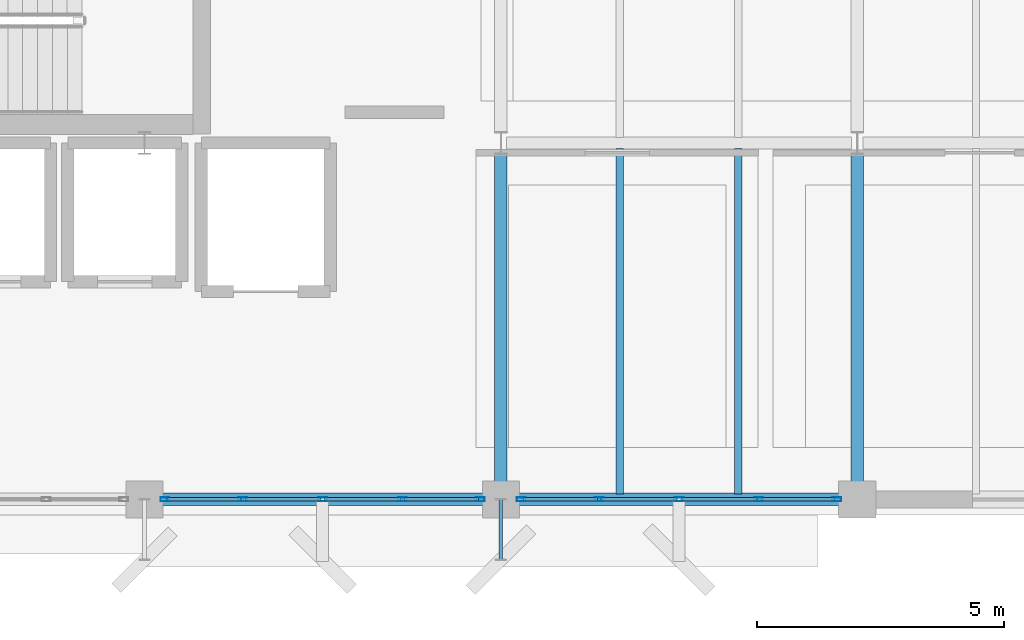
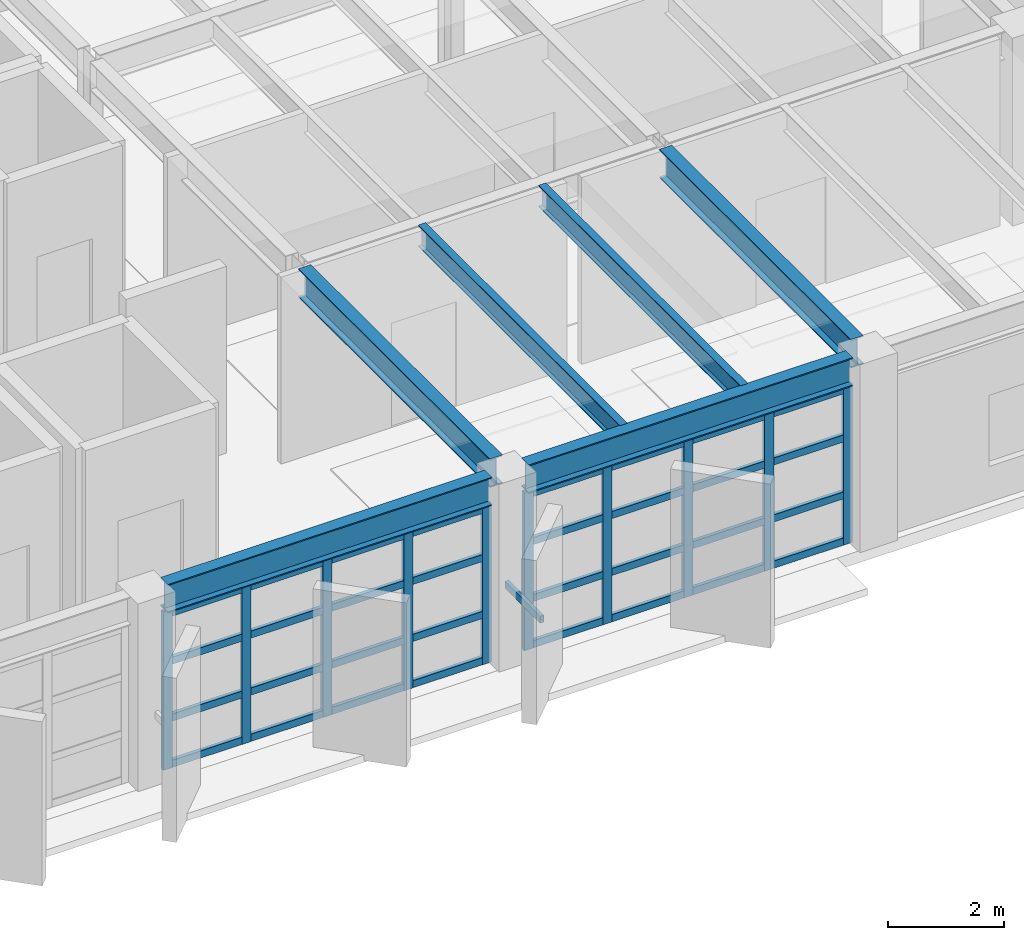
# One storey, part 8 of 37: 43 members, 6 beams, 2 elements without a shape of their own.
"""IFC4 building model written with IfcOpenShell, lengths in metres."""

import ifcopenshell
import ifcopenshell.guid

model = None  # the IFC model being written
_history = None  # IfcOwnerHistory: only IFC2X3 demands one
_inside = {}  # id of a spatial element -> (the spatial element, [elements in it])
_under = {}  # id of a project, library or spatial element -> (it, [spatial elements below it])
_declared = {}  # id of a project -> (the project, [libraries it declares])
_typed = {}  # id of a type object -> (the type object, [elements of that type])
_made_of = {}  # id of a material, layer set ... -> (it, [elements and type objects made of it])


def new_model(schema):
    """Start an empty IFC model of exactly this schema.

    Asked for "IFC4X3", IfcOpenShell would pick the latest addendum, in which some entities
    have other attributes; the version numbers below select the first issue.
    IFC2X3 requires an IfcOwnerHistory on every rooted entity: one is made here for all.
    """
    global model, _history
    if schema == "IFC4X3":
        model = ifcopenshell.file(schema_version=(4, 3, 0, 0))
    else:
        model = ifcopenshell.file(schema=schema)
    _inside.clear()
    _under.clear()
    _declared.clear()
    _typed.clear()
    _made_of.clear()
    _history = None
    if model.schema == "IFC2X3":
        org = make("IfcOrganization", Name="unknown")
        user = make(
            "IfcPersonAndOrganization",
            ThePerson=make("IfcPerson", FamilyName="unknown"),
            TheOrganization=org,
        )
        app = make(
            "IfcApplication",
            ApplicationDeveloper=org,
            Version="unknown",
            ApplicationFullName="unknown",
            ApplicationIdentifier="unknown",
        )
        _history = make(
            "IfcOwnerHistory",
            OwningUser=user,
            OwningApplication=app,
            ChangeAction="ADDED",
            CreationDate=0,
        )
    return model


def make(cls, **values):
    """One entity of the class cls with the attributes given. An attribute that is None is left unset."""
    return model.create_entity(
        cls, **{name: value for name, value in values.items() if value is not None}
    )


def rooted(cls, **values):
    """An entity with a GlobalId (a new one), such as an element, a storey or a relation."""
    return make(cls, GlobalId=ifcopenshell.guid.new(), OwnerHistory=_history, **values)


def si_unit(unit_type, name, prefix=None):
    """IfcSIUnit, for example si_unit("LENGTHUNIT", "METRE", prefix="MILLI")."""
    return make("IfcSIUnit", UnitType=unit_type, Prefix=prefix, Name=name)


def assignment(units):
    """IfcUnitAssignment: the units of a project."""
    return None if units is None else make("IfcUnitAssignment", Units=units)


def point(xyz):
    """IfcCartesianPoint."""
    return None if xyz is None else make("IfcCartesianPoint", Coordinates=xyz)


def direction(xyz):
    """IfcDirection."""
    return None if xyz is None else make("IfcDirection", DirectionRatios=xyz)


def frame(location, z_axis=None, x_axis=None):
    """IfcAxis2Placement3D, a coordinate frame: its origin and axes. An axis left out is left unset."""
    return make(
        "IfcAxis2Placement3D",
        Location=point(location),
        Axis=direction(z_axis),
        RefDirection=direction(x_axis),
    )


def frame_2d(location, x_axis=None):
    """IfcAxis2Placement2D, a coordinate frame in the plane: its origin and x axis."""
    return make(
        "IfcAxis2Placement2D", Location=point(location), RefDirection=direction(x_axis)
    )


def origin():
    """The frame at (0, 0, 0) with its axes left unset."""
    return frame((0.0, 0.0, 0.0))


def origin_2d():
    """The frame at (0, 0) in the plane with its x axis left unset."""
    return frame_2d((0.0, 0.0))


def place(relative_to, where):
    """IfcLocalPlacement: puts the frame where relative to a parent placement (None: the world)."""
    return make(
        "IfcLocalPlacement", PlacementRelTo=relative_to, RelativePlacement=where
    )


def context(
    kind, dimensions, precision=None, world=None, true_north=None, identifier=None
):
    """IfcGeometricRepresentationContext, for example the 3D "Model" context."""
    return make(
        "IfcGeometricRepresentationContext",
        ContextIdentifier=identifier,
        ContextType=kind,
        CoordinateSpaceDimension=dimensions,
        Precision=precision,
        WorldCoordinateSystem=world,
        TrueNorth=true_north,
    )


def subcontext(parent, identifier, kind, view, scale=None):
    """IfcGeometricRepresentationSubContext, for example "Body" below "Model"."""
    return make(
        "IfcGeometricRepresentationSubContext",
        ContextIdentifier=identifier,
        ContextType=kind,
        ParentContext=parent,
        TargetScale=scale,
        TargetView=view,
    )


def project(units=None, contexts=None):
    """IfcProject with its units and contexts."""
    return rooted(
        "IfcProject",
        Name="project",
        RepresentationContexts=contexts,
        UnitsInContext=assignment(units),
    )


def spatial(cls, under=None, at=None, **own):
    """A site, building, storey or space (cls), placed at a placement, below another one or the project."""
    s = rooted(cls, ObjectPlacement=at, **own)
    if under is not None:
        _under.setdefault(under.id(), (under, []))[1].append(s)
    return s


def profile(cls, at=None, kind="AREA", **sizes):
    """A parametric profile (cls). Its sizes go by their IFC names, for example OverallWidth=200.0."""
    return make(cls, ProfileType=kind, Position=at, **sizes)


def hollow_rectangle(**sizes):
    """IfcRectangleHollowProfileDef."""
    return profile("IfcRectangleHollowProfileDef", **sizes)


def i_section(**sizes):
    """IfcIShapeProfileDef."""
    return profile("IfcIShapeProfileDef", **sizes)


def extrude(swept, where, along, depth):
    """IfcExtrudedAreaSolid: the profile swept, set in the frame where, extruded along a direction by depth."""
    return make(
        "IfcExtrudedAreaSolid",
        SweptArea=swept,
        Position=where,
        ExtrudedDirection=direction(along),
        Depth=depth,
    )


def shape(context_of_items, identifier, shape_type, items):
    """IfcShapeRepresentation: the items that make up one representation, for example the "Body"."""
    return make(
        "IfcShapeRepresentation",
        ContextOfItems=context_of_items,
        RepresentationIdentifier=identifier,
        RepresentationType=shape_type,
        Items=items,
    )


def material(Name=None, Category=None):
    """IfcMaterial."""
    return make("IfcMaterial", Name=Name, Category=Category)


def layer(
    of_material, thickness, ventilated=None, Name=None, Category=None, Priority=None
):
    """IfcMaterialLayer: one layer of a wall or slab, of a material (None: an air gap)."""
    return make(
        "IfcMaterialLayer",
        Material=of_material,
        LayerThickness=thickness,
        IsVentilated=ventilated,
        Name=Name,
        Category=Category,
        Priority=Priority,
    )


def layer_set(layers, Name=None):
    """IfcMaterialLayerSet."""
    return make("IfcMaterialLayerSet", MaterialLayers=layers, LayerSetName=Name)


def material_profile(
    of_material, cross_section, Name=None, Category=None, Priority=None
):
    """IfcMaterialProfile: a cross section and its material."""
    return make(
        "IfcMaterialProfile",
        Name=Name,
        Material=of_material,
        Profile=cross_section,
        Priority=Priority,
        Category=Category,
    )


def profile_set(profiles, Name=None, composite=None):
    """IfcMaterialProfileSet."""
    return make(
        "IfcMaterialProfileSet",
        Name=Name,
        MaterialProfiles=profiles,
        CompositeProfile=composite,
    )


def made_of(thing, what):
    """Note that an element or type object is made of a material, layer set ...; save() writes the relation."""
    if what is not None:
        _made_of.setdefault(what.id(), (what, []))[1].append(thing)
    return thing


def type_object(cls, material=None, **own):
    """A type object (cls), such as IfcWallType, which elements share."""
    return made_of(rooted(cls, **own), material)


def element(
    cls,
    number,
    at=None,
    inside=None,
    cuts=None,
    type_object=None,
    material=None,
    context=None,
    identifier="Body",
    shape_type=None,
    held_by="IfcProductDefinitionShape",
    body=None,
    shapes=None,
    **own,
):
    """One element of the class cls, such as IfcWall. Its Tag is "e" and its number.

    at: its placement. inside: the storey or other place that contains it. cuts: it is an
    opening in that element (IfcRelVoidsElement). A single representation is given by context,
    identifier, shape_type and body (its items); several are given by shapes. held_by: the class
    of the entity that holds the representations. save() writes the other relations.
    """
    e = rooted(cls, Tag="e%d" % number, ObjectPlacement=at, **own)
    if body is not None:
        shapes = [shape(context, identifier, shape_type, body)]
    if shapes is not None:
        e.Representation = make(held_by, Representations=shapes)
    if inside is not None:
        _inside.setdefault(inside.id(), (inside, []))[1].append(e)
    if cuts is not None:
        rooted(
            "IfcRelVoidsElement", RelatingBuildingElement=cuts, RelatedOpeningElement=e
        )
    if type_object is not None:
        _typed.setdefault(type_object.id(), (type_object, []))[1].append(e)
    return made_of(e, material)


def aggregate(whole, parts):
    """IfcRelAggregates: a whole, such as a stair, and the parts it consists of."""
    return rooted("IfcRelAggregates", RelatingObject=whole, RelatedObjects=parts)


def save(model, path):
    """Write the relations noted so far, then the file.

    IfcRelAggregates (storeys below a building ...), IfcRelContainedInSpatialStructure (elements
    in a storey), IfcRelDefinesByType, IfcRelAssociatesMaterial and IfcRelDeclares: one each for
    every whole, place, type object, material and project.
    """
    for whole, parts in _under.values():
        aggregate(whole, parts)
    for where, things in _inside.values():
        rooted(
            "IfcRelContainedInSpatialStructure",
            RelatedElements=things,
            RelatingStructure=where,
        )
    for kind, things in _typed.values():
        rooted("IfcRelDefinesByType", RelatedObjects=things, RelatingType=kind)
    for what, things in _made_of.values():
        rooted("IfcRelAssociatesMaterial", RelatedObjects=things, RelatingMaterial=what)
    for by, libraries in _declared.values():
        rooted("IfcRelDeclares", RelatingContext=by, RelatedDefinitions=libraries)
    model.write(path)


model = new_model("IFC4")

# Units and contexts
model_context = context("Model", 3, precision=1e-05, world=origin(), true_north=direction((0.0, 1.0)))
body_context = subcontext(model_context, "Body", "Model", "MODEL_VIEW")
ifc_project = project(units=[si_unit("LENGTHUNIT", "METRE"), si_unit("AREAUNIT", "SQUARE_METRE"), si_unit("VOLUMEUNIT", "CUBIC_METRE"), si_unit("PLANEANGLEUNIT", "RADIAN"), si_unit("MASSUNIT", "GRAM", prefix="KILO")], contexts=[model_context])

# Site, building, storey
site_placement = place(None, origin())
site = spatial("IfcSite", under=ifc_project, at=site_placement, CompositionType="ELEMENT")
building_placement = place(site_placement, origin())
building = spatial("IfcBuilding", under=site, at=building_placement, Name="Kandorven Conservatory and Botanical Research Centre", CompositionType="ELEMENT")
storey_placement = place(building_placement, frame((0.0, 0.0, 9.0)))
storey = spatial("IfcBuildingStorey", under=building, at=storey_placement, Name="L02", CompositionType="ELEMENT", Elevation=9.0)

# Beams
ifc_material_1 = material(Name="Steel S355 (IS 2062 E350)", Category="steel")
ifc_material_profile_1 = material_profile(ifc_material_1, i_section(OverallWidth=0.25, OverallDepth=0.60009765625, WebThickness=0.01171875, FlangeThickness=0.023681640625, at=origin_2d()))
ifc_profile_set_1 = profile_set([ifc_material_profile_1], Name="Steel S355 (IS 2062 E350)")
beam_type_1 = type_object("IfcBeamType", Name="Beam_FG-01", PredefinedType="USERDEFINED", material=ifc_profile_set_1)
beam_1_placement = place(storey_placement, frame((20.764892578125, 6.0, 3.659912109375), z_axis=(1.0, 0.0, 0.0), x_axis=(0.0, 1.0, 0.0)))
element("IfcBeam", 1, at=beam_1_placement, inside=storey, type_object=beam_type_1, Name="Primary girder FG-01 TWR L02", ObjectType="GIRDER", PredefinedType="USERDEFINED", context=body_context, shape_type="SweptSolid", body=[
    extrude(i_section(OverallWidth=0.25, OverallDepth=0.60009765625, WebThickness=0.01171875, FlangeThickness=0.023681640625, at=origin_2d()), origin(), (0.0, 0.0, 1.0), 6.47021484375),
])
beam_2_placement = place(storey_placement, frame((27.965087890625, 6.0, 3.659912109375), z_axis=(1.0, 0.0, 0.0), x_axis=(0.0, 1.0, 0.0)))
element("IfcBeam", 2, at=beam_2_placement, inside=storey, type_object=beam_type_1, Name="Primary girder FG-01 TWR L02", ObjectType="GIRDER", PredefinedType="USERDEFINED", context=body_context, shape_type="SweptSolid", body=[
    extrude(i_section(OverallWidth=0.25, OverallDepth=0.60009765625, WebThickness=0.01171875, FlangeThickness=0.023681640625, at=origin_2d()), origin(), (0.0, 0.0, 1.0), 6.469970703125),
])
for number, where, z_axis, x_axis, name in (
    (3, (27.60009765625, 6.364990234375, 3.659912109375), (0.0, 1.0, 0.0), (-1.0, 0.0, 0.0), "Primary girder FG-01 TWR L02"),
    (4, (34.800048828125, 6.364990234375, 3.659912109375), (0.0, 1.0, 0.0), (-1.0, 0.0, 0.0), "Primary girder FG-01 TWR L02"),
):
    element("IfcBeam", number, at=place(storey_placement, frame(where, z_axis=z_axis, x_axis=x_axis)), inside=storey, type_object=beam_type_1, Name=name, ObjectType="GIRDER", PredefinedType="USERDEFINED", context=body_context, shape_type="SweptSolid", body=[
        extrude(i_section(OverallWidth=0.25, OverallDepth=0.60009765625, WebThickness=0.01171875, FlangeThickness=0.023681640625, at=origin_2d()), origin(), (0.0, 0.0, 1.0), 6.6201171875),
    ])
ifc_material_2 = material(Name="Steel S355 (IS 2062 E350)", Category="steel")
ifc_material_profile_2 = material_profile(ifc_material_2, i_section(OverallWidth=0.14990234375, OverallDepth=0.449951171875, WebThickness=0.009521484375, FlangeThickness=0.017333984375, at=origin_2d()))
ifc_profile_set_2 = profile_set([ifc_material_profile_2], Name="Steel S355 (IS 2062 E350)")
beam_type_2 = type_object("IfcBeamType", Name="Beam_SB-04", PredefinedType="BEAM", material=ifc_profile_set_2)
for number, where, z_axis, x_axis, name in (
    (5, (30.0, 6.110107421875, 3.735107421875), (0.0, 1.0, 0.0), (-1.0, 0.0, 0.0), "Composite secondary beam SB-04 TWR L02"),
    (6, (32.39990234375, 6.110107421875, 3.735107421875), (0.0, 1.0, 0.0), (-1.0, 0.0, 0.0), "Composite secondary beam SB-04 TWR L02"),
):
    element("IfcBeam", number, at=place(storey_placement, frame(where, z_axis=z_axis, x_axis=x_axis)), inside=storey, type_object=beam_type_2, Name=name, PredefinedType="BEAM", context=body_context, shape_type="SweptSolid", body=[
        extrude(i_section(OverallWidth=0.14990234375, OverallDepth=0.449951171875, WebThickness=0.009521484375, FlangeThickness=0.017333984375, at=origin_2d()), origin(), (0.0, 0.0, 1.0), 6.97998046875),
    ])

# Curtain wall, members
ifc_material_3 = material(Name="Bronze anodised thermally broken aluminium", Category="aluminium")
ifc_layer = layer(ifc_material_3, 0.179931640625)
ifc_layer_set = layer_set([ifc_layer], Name="Bronze anodised thermally broken aluminium")
curtain_wall_type = type_object("IfcCurtainWallType", Name="CW_Unitised", PredefinedType="USERDEFINED", material=ifc_layer_set)
curtain_wall_1_placement = place(storey_placement, origin())
curtain_wall_1 = element("IfcCurtainWall", 7, at=curtain_wall_1_placement, inside=storey, type_object=curtain_wall_type, Name="Tower laboratory curtain wall CW-TWR-S-L02-3", ObjectType="UNITISED GLAZING", PredefinedType="USERDEFINED")
ifc_material_4 = material(Name="Bronze anodised thermally broken aluminium", Category="aluminium")
ifc_material_profile_3 = material_profile(ifc_material_4, hollow_rectangle(XDim=0.080078125, YDim=0.179931640625, WallThickness=0.006103515625, at=origin_2d()))
ifc_profile_set_3 = profile_set([ifc_material_profile_3], Name="Bronze anodised thermally broken aluminium")
member_type_1 = type_object("IfcMemberType", Name="CW_Mullion", PredefinedType="MULLION", material=ifc_profile_set_3)
member_1_placement = place(storey_placement, frame((20.81494140625, 6.0, 0.0), z_axis=(0.0, 0.0, 1.0), x_axis=(0.0, 1.0, 0.0)))
member_1 = element("IfcMember", 8, at=member_1_placement, type_object=member_type_1, Name="CW-01 mullion 1", PredefinedType="MULLION", context=body_context, shape_type="SweptSolid", body=[
    extrude(hollow_rectangle(XDim=0.080078125, YDim=0.179931640625, WallThickness=0.006103515625, at=origin_2d()), origin(), (0.0, 0.0, 1.0), 3.340087890625),
])
member_2_placement = place(storey_placement, frame((22.387451171875, 6.0, 0.0), z_axis=(0.0, 0.0, 1.0), x_axis=(0.0, 1.0, 0.0)))
member_2 = element("IfcMember", 9, at=member_2_placement, type_object=member_type_1, Name="CW-01 mullion 2", PredefinedType="MULLION", context=body_context, shape_type="SweptSolid", body=[
    extrude(hollow_rectangle(XDim=0.080078125, YDim=0.179931640625, WallThickness=0.006103515625, at=origin_2d()), origin(), (0.0, 0.0, 1.0), 3.340087890625),
])
member_3_placement = place(storey_placement, frame((24.0, 6.0, 0.0), z_axis=(0.0, 0.0, 1.0), x_axis=(0.0, 1.0, 0.0)))
member_3 = element("IfcMember", 10, at=member_3_placement, type_object=member_type_1, Name="CW-01 mullion 3", PredefinedType="MULLION", context=body_context, shape_type="SweptSolid", body=[
    extrude(hollow_rectangle(XDim=0.080078125, YDim=0.179931640625, WallThickness=0.006103515625, at=origin_2d()), origin(), (0.0, 0.0, 1.0), 3.340087890625),
])
member_4_placement = place(storey_placement, frame((25.612548828125, 6.0, 0.0), z_axis=(0.0, 0.0, 1.0), x_axis=(0.0, 1.0, 0.0)))
member_4 = element("IfcMember", 11, at=member_4_placement, type_object=member_type_1, Name="CW-01 mullion 4", PredefinedType="MULLION", context=body_context, shape_type="SweptSolid", body=[
    extrude(hollow_rectangle(XDim=0.080078125, YDim=0.179931640625, WallThickness=0.006103515625, at=origin_2d()), origin(), (0.0, 0.0, 1.0), 3.340087890625),
])
member_5_placement = place(storey_placement, frame((27.18505859375, 6.0, 0.0), z_axis=(0.0, 0.0, 1.0), x_axis=(0.0, 1.0, 0.0)))
member_5 = element("IfcMember", 12, at=member_5_placement, type_object=member_type_1, Name="CW-01 mullion 5", PredefinedType="MULLION", context=body_context, shape_type="SweptSolid", body=[
    extrude(hollow_rectangle(XDim=0.080078125, YDim=0.179931640625, WallThickness=0.006103515625, at=origin_2d()), origin(), (0.0, 0.0, 1.0), 3.340087890625),
])

curtain_wall_2_placement = place(storey_placement, origin())
curtain_wall_2 = element("IfcCurtainWall", 13, at=curtain_wall_2_placement, inside=storey, type_object=curtain_wall_type, Name="Tower laboratory curtain wall CW-TWR-S-L02-4", ObjectType="UNITISED GLAZING", PredefinedType="USERDEFINED")
member_6_placement = place(storey_placement, frame((28.014892578125, 6.0, 0.0), z_axis=(0.0, 0.0, 1.0), x_axis=(0.0, 1.0, 0.0)))
member_6 = element("IfcMember", 14, at=member_6_placement, type_object=member_type_1, Name="CW-01 mullion 1", PredefinedType="MULLION", context=body_context, shape_type="SweptSolid", body=[
    extrude(hollow_rectangle(XDim=0.080078125, YDim=0.179931640625, WallThickness=0.006103515625, at=origin_2d()), origin(), (0.0, 0.0, 1.0), 3.340087890625),
])
member_7_placement = place(storey_placement, frame((29.58740234375, 6.0, 0.0), z_axis=(0.0, 0.0, 1.0), x_axis=(0.0, 1.0, 0.0)))
member_7 = element("IfcMember", 15, at=member_7_placement, type_object=member_type_1, Name="CW-01 mullion 2", PredefinedType="MULLION", context=body_context, shape_type="SweptSolid", body=[
    extrude(hollow_rectangle(XDim=0.080078125, YDim=0.179931640625, WallThickness=0.006103515625, at=origin_2d()), origin(), (0.0, 0.0, 1.0), 3.340087890625),
])
member_8_placement = place(storey_placement, frame((31.199951171875, 6.0, 0.0), z_axis=(0.0, 0.0, 1.0), x_axis=(0.0, 1.0, 0.0)))
member_8 = element("IfcMember", 16, at=member_8_placement, type_object=member_type_1, Name="CW-01 mullion 3", PredefinedType="MULLION", context=body_context, shape_type="SweptSolid", body=[
    extrude(hollow_rectangle(XDim=0.080078125, YDim=0.179931640625, WallThickness=0.006103515625, at=origin_2d()), origin(), (0.0, 0.0, 1.0), 3.340087890625),
])
member_9_placement = place(storey_placement, frame((32.8125, 6.0, 0.0), z_axis=(0.0, 0.0, 1.0), x_axis=(0.0, 1.0, 0.0)))
member_9 = element("IfcMember", 17, at=member_9_placement, type_object=member_type_1, Name="CW-01 mullion 4", PredefinedType="MULLION", context=body_context, shape_type="SweptSolid", body=[
    extrude(hollow_rectangle(XDim=0.080078125, YDim=0.179931640625, WallThickness=0.006103515625, at=origin_2d()), origin(), (0.0, 0.0, 1.0), 3.340087890625),
])
member_10_placement = place(storey_placement, frame((34.385009765625, 6.0, 0.0), z_axis=(0.0, 0.0, 1.0), x_axis=(0.0, 1.0, 0.0)))
member_10 = element("IfcMember", 18, at=member_10_placement, type_object=member_type_1, Name="CW-01 mullion 5", PredefinedType="MULLION", context=body_context, shape_type="SweptSolid", body=[
    extrude(hollow_rectangle(XDim=0.080078125, YDim=0.179931640625, WallThickness=0.006103515625, at=origin_2d()), origin(), (0.0, 0.0, 1.0), 3.340087890625),
])

# Member
ifc_material_5 = material(Name="Bronze anodised thermally broken aluminium", Category="aluminium")
ifc_material_profile_4 = material_profile(ifc_material_5, hollow_rectangle(XDim=0.074951171875, YDim=0.14990234375, WallThickness=0.006103515625, at=origin_2d()))
ifc_profile_set_4 = profile_set([ifc_material_profile_4], Name="Bronze anodised thermally broken aluminium")
member_type_2 = type_object("IfcMemberType", Name="CW_Transom", PredefinedType="USERDEFINED", material=ifc_profile_set_4)
member_11_placement = place(storey_placement, frame((20.85498046875, 6.0, 0.074951171875), z_axis=(1.0, 0.0, 0.0), x_axis=(0.0, 1.0, 0.0)))
member_11 = element("IfcMember", 19, at=member_11_placement, type_object=member_type_2, Name="CW-01 transom 1.1", ObjectType="TRANSOM", PredefinedType="USERDEFINED", context=body_context, shape_type="SweptSolid", body=[
    extrude(hollow_rectangle(XDim=0.074951171875, YDim=0.14990234375, WallThickness=0.006103515625, at=origin_2d()), origin(), (0.0, 0.0, 1.0), 1.492431640625),
])

member_12_placement = place(storey_placement, frame((20.85498046875, 6.0, 1.050048828125), z_axis=(1.0, 0.0, 0.0), x_axis=(0.0, 1.0, 0.0)))
member_12 = element("IfcMember", 20, at=member_12_placement, type_object=member_type_2, Name="CW-01 transom 1.2", ObjectType="TRANSOM", PredefinedType="USERDEFINED", context=body_context, shape_type="SweptSolid", body=[
    extrude(hollow_rectangle(XDim=0.074951171875, YDim=0.14990234375, WallThickness=0.006103515625, at=origin_2d()), origin(), (0.0, 0.0, 1.0), 1.492431640625),
])

member_13_placement = place(storey_placement, frame((20.85498046875, 6.0, 2.25), z_axis=(1.0, 0.0, 0.0), x_axis=(0.0, 1.0, 0.0)))
member_13 = element("IfcMember", 21, at=member_13_placement, type_object=member_type_2, Name="CW-01 transom 1.3", ObjectType="TRANSOM", PredefinedType="USERDEFINED", context=body_context, shape_type="SweptSolid", body=[
    extrude(hollow_rectangle(XDim=0.074951171875, YDim=0.14990234375, WallThickness=0.006103515625, at=origin_2d()), origin(), (0.0, 0.0, 1.0), 1.492431640625),
])

member_14_placement = place(storey_placement, frame((20.85498046875, 6.0, 3.264892578125), z_axis=(1.0, 0.0, 0.0), x_axis=(0.0, 1.0, 0.0)))
member_14 = element("IfcMember", 22, at=member_14_placement, type_object=member_type_2, Name="CW-01 transom 1.4", ObjectType="TRANSOM", PredefinedType="USERDEFINED", context=body_context, shape_type="SweptSolid", body=[
    extrude(hollow_rectangle(XDim=0.074951171875, YDim=0.14990234375, WallThickness=0.006103515625, at=origin_2d()), origin(), (0.0, 0.0, 1.0), 1.492431640625),
])

member_15_placement = place(storey_placement, frame((22.427490234375, 6.0, 0.074951171875), z_axis=(1.0, 0.0, 0.0), x_axis=(0.0, 1.0, 0.0)))
member_15 = element("IfcMember", 23, at=member_15_placement, type_object=member_type_2, Name="CW-01 transom 2.1", ObjectType="TRANSOM", PredefinedType="USERDEFINED", context=body_context, shape_type="SweptSolid", body=[
    extrude(hollow_rectangle(XDim=0.074951171875, YDim=0.14990234375, WallThickness=0.006103515625, at=origin_2d()), origin(), (0.0, 0.0, 1.0), 1.532470703125),
])

member_16_placement = place(storey_placement, frame((22.427490234375, 6.0, 1.050048828125), z_axis=(1.0, 0.0, 0.0), x_axis=(0.0, 1.0, 0.0)))
member_16 = element("IfcMember", 24, at=member_16_placement, type_object=member_type_2, Name="CW-01 transom 2.2", ObjectType="TRANSOM", PredefinedType="USERDEFINED", context=body_context, shape_type="SweptSolid", body=[
    extrude(hollow_rectangle(XDim=0.074951171875, YDim=0.14990234375, WallThickness=0.006103515625, at=origin_2d()), origin(), (0.0, 0.0, 1.0), 1.532470703125),
])

member_17_placement = place(storey_placement, frame((22.427490234375, 6.0, 2.25), z_axis=(1.0, 0.0, 0.0), x_axis=(0.0, 1.0, 0.0)))
member_17 = element("IfcMember", 25, at=member_17_placement, type_object=member_type_2, Name="CW-01 transom 2.3", ObjectType="TRANSOM", PredefinedType="USERDEFINED", context=body_context, shape_type="SweptSolid", body=[
    extrude(hollow_rectangle(XDim=0.074951171875, YDim=0.14990234375, WallThickness=0.006103515625, at=origin_2d()), origin(), (0.0, 0.0, 1.0), 1.532470703125),
])

member_18_placement = place(storey_placement, frame((22.427490234375, 6.0, 3.264892578125), z_axis=(1.0, 0.0, 0.0), x_axis=(0.0, 1.0, 0.0)))
member_18 = element("IfcMember", 26, at=member_18_placement, type_object=member_type_2, Name="CW-01 transom 2.4", ObjectType="TRANSOM", PredefinedType="USERDEFINED", context=body_context, shape_type="SweptSolid", body=[
    extrude(hollow_rectangle(XDim=0.074951171875, YDim=0.14990234375, WallThickness=0.006103515625, at=origin_2d()), origin(), (0.0, 0.0, 1.0), 1.532470703125),
])

member_19_placement = place(storey_placement, frame((24.0400390625, 6.0, 0.074951171875), z_axis=(1.0, 0.0, 0.0), x_axis=(0.0, 1.0, 0.0)))
member_19 = element("IfcMember", 27, at=member_19_placement, type_object=member_type_2, Name="CW-01 transom 3.1", ObjectType="TRANSOM", PredefinedType="USERDEFINED", context=body_context, shape_type="SweptSolid", body=[
    extrude(hollow_rectangle(XDim=0.074951171875, YDim=0.14990234375, WallThickness=0.006103515625, at=origin_2d()), origin(), (0.0, 0.0, 1.0), 1.532470703125),
])

member_20_placement = place(storey_placement, frame((24.0400390625, 6.0, 1.050048828125), z_axis=(1.0, 0.0, 0.0), x_axis=(0.0, 1.0, 0.0)))
member_20 = element("IfcMember", 28, at=member_20_placement, type_object=member_type_2, Name="CW-01 transom 3.2", ObjectType="TRANSOM", PredefinedType="USERDEFINED", context=body_context, shape_type="SweptSolid", body=[
    extrude(hollow_rectangle(XDim=0.074951171875, YDim=0.14990234375, WallThickness=0.006103515625, at=origin_2d()), origin(), (0.0, 0.0, 1.0), 1.532470703125),
])

member_21_placement = place(storey_placement, frame((24.0400390625, 6.0, 2.25), z_axis=(1.0, 0.0, 0.0), x_axis=(0.0, 1.0, 0.0)))
member_21 = element("IfcMember", 29, at=member_21_placement, type_object=member_type_2, Name="CW-01 transom 3.3", ObjectType="TRANSOM", PredefinedType="USERDEFINED", context=body_context, shape_type="SweptSolid", body=[
    extrude(hollow_rectangle(XDim=0.074951171875, YDim=0.14990234375, WallThickness=0.006103515625, at=origin_2d()), origin(), (0.0, 0.0, 1.0), 1.532470703125),
])

member_22_placement = place(storey_placement, frame((24.0400390625, 6.0, 3.264892578125), z_axis=(1.0, 0.0, 0.0), x_axis=(0.0, 1.0, 0.0)))
member_22 = element("IfcMember", 30, at=member_22_placement, type_object=member_type_2, Name="CW-01 transom 3.4", ObjectType="TRANSOM", PredefinedType="USERDEFINED", context=body_context, shape_type="SweptSolid", body=[
    extrude(hollow_rectangle(XDim=0.074951171875, YDim=0.14990234375, WallThickness=0.006103515625, at=origin_2d()), origin(), (0.0, 0.0, 1.0), 1.532470703125),
])

member_23_placement = place(storey_placement, frame((25.652587890625, 6.0, 0.074951171875), z_axis=(1.0, 0.0, 0.0), x_axis=(0.0, 1.0, 0.0)))
member_23 = element("IfcMember", 31, at=member_23_placement, type_object=member_type_2, Name="CW-01 transom 4.1", ObjectType="TRANSOM", PredefinedType="USERDEFINED", context=body_context, shape_type="SweptSolid", body=[
    extrude(hollow_rectangle(XDim=0.074951171875, YDim=0.14990234375, WallThickness=0.006103515625, at=origin_2d()), origin(), (0.0, 0.0, 1.0), 1.492431640625),
])

member_24_placement = place(storey_placement, frame((25.652587890625, 6.0, 1.050048828125), z_axis=(1.0, 0.0, 0.0), x_axis=(0.0, 1.0, 0.0)))
member_24 = element("IfcMember", 32, at=member_24_placement, type_object=member_type_2, Name="CW-01 transom 4.2", ObjectType="TRANSOM", PredefinedType="USERDEFINED", context=body_context, shape_type="SweptSolid", body=[
    extrude(hollow_rectangle(XDim=0.074951171875, YDim=0.14990234375, WallThickness=0.006103515625, at=origin_2d()), origin(), (0.0, 0.0, 1.0), 1.492431640625),
])

member_25_placement = place(storey_placement, frame((25.652587890625, 6.0, 2.25), z_axis=(1.0, 0.0, 0.0), x_axis=(0.0, 1.0, 0.0)))
member_25 = element("IfcMember", 33, at=member_25_placement, type_object=member_type_2, Name="CW-01 transom 4.3", ObjectType="TRANSOM", PredefinedType="USERDEFINED", context=body_context, shape_type="SweptSolid", body=[
    extrude(hollow_rectangle(XDim=0.074951171875, YDim=0.14990234375, WallThickness=0.006103515625, at=origin_2d()), origin(), (0.0, 0.0, 1.0), 1.492431640625),
])

member_26_placement = place(storey_placement, frame((25.652587890625, 6.0, 3.264892578125), z_axis=(1.0, 0.0, 0.0), x_axis=(0.0, 1.0, 0.0)))
member_26 = element("IfcMember", 34, at=member_26_placement, type_object=member_type_2, Name="CW-01 transom 4.4", ObjectType="TRANSOM", PredefinedType="USERDEFINED", context=body_context, shape_type="SweptSolid", body=[
    extrude(hollow_rectangle(XDim=0.074951171875, YDim=0.14990234375, WallThickness=0.006103515625, at=origin_2d()), origin(), (0.0, 0.0, 1.0), 1.492431640625),
])

aggregate(curtain_wall_1, [member_1, member_2, member_3, member_4, member_5, member_11, member_12, member_13, member_14, member_15, member_16, member_17, member_18, member_19, member_20, member_21, member_22, member_23, member_24, member_25, member_26])

member_27_placement = place(storey_placement, frame((28.054931640625, 6.0, 0.074951171875), z_axis=(1.0, 0.0, 0.0), x_axis=(0.0, 1.0, 0.0)))
member_27 = element("IfcMember", 35, at=member_27_placement, type_object=member_type_2, Name="CW-01 transom 1.1", ObjectType="TRANSOM", PredefinedType="USERDEFINED", context=body_context, shape_type="SweptSolid", body=[
    extrude(hollow_rectangle(XDim=0.074951171875, YDim=0.14990234375, WallThickness=0.006103515625, at=origin_2d()), origin(), (0.0, 0.0, 1.0), 1.49267578125),
])

member_28_placement = place(storey_placement, frame((28.054931640625, 6.0, 1.050048828125), z_axis=(1.0, 0.0, 0.0), x_axis=(0.0, 1.0, 0.0)))
member_28 = element("IfcMember", 36, at=member_28_placement, type_object=member_type_2, Name="CW-01 transom 1.2", ObjectType="TRANSOM", PredefinedType="USERDEFINED", context=body_context, shape_type="SweptSolid", body=[
    extrude(hollow_rectangle(XDim=0.074951171875, YDim=0.14990234375, WallThickness=0.006103515625, at=origin_2d()), origin(), (0.0, 0.0, 1.0), 1.49267578125),
])

member_29_placement = place(storey_placement, frame((28.054931640625, 6.0, 2.25), z_axis=(1.0, 0.0, 0.0), x_axis=(0.0, 1.0, 0.0)))
member_29 = element("IfcMember", 37, at=member_29_placement, type_object=member_type_2, Name="CW-01 transom 1.3", ObjectType="TRANSOM", PredefinedType="USERDEFINED", context=body_context, shape_type="SweptSolid", body=[
    extrude(hollow_rectangle(XDim=0.074951171875, YDim=0.14990234375, WallThickness=0.006103515625, at=origin_2d()), origin(), (0.0, 0.0, 1.0), 1.49267578125),
])

member_30_placement = place(storey_placement, frame((28.054931640625, 6.0, 3.264892578125), z_axis=(1.0, 0.0, 0.0), x_axis=(0.0, 1.0, 0.0)))
member_30 = element("IfcMember", 38, at=member_30_placement, type_object=member_type_2, Name="CW-01 transom 1.4", ObjectType="TRANSOM", PredefinedType="USERDEFINED", context=body_context, shape_type="SweptSolid", body=[
    extrude(hollow_rectangle(XDim=0.074951171875, YDim=0.14990234375, WallThickness=0.006103515625, at=origin_2d()), origin(), (0.0, 0.0, 1.0), 1.49267578125),
])

member_31_placement = place(storey_placement, frame((29.62744140625, 6.0, 0.074951171875), z_axis=(1.0, 0.0, 0.0), x_axis=(0.0, 1.0, 0.0)))
member_31 = element("IfcMember", 39, at=member_31_placement, type_object=member_type_2, Name="CW-01 transom 2.1", ObjectType="TRANSOM", PredefinedType="USERDEFINED", context=body_context, shape_type="SweptSolid", body=[
    extrude(hollow_rectangle(XDim=0.074951171875, YDim=0.14990234375, WallThickness=0.006103515625, at=origin_2d()), origin(), (0.0, 0.0, 1.0), 1.532470703125),
])

member_32_placement = place(storey_placement, frame((29.62744140625, 6.0, 1.050048828125), z_axis=(1.0, 0.0, 0.0), x_axis=(0.0, 1.0, 0.0)))
member_32 = element("IfcMember", 40, at=member_32_placement, type_object=member_type_2, Name="CW-01 transom 2.2", ObjectType="TRANSOM", PredefinedType="USERDEFINED", context=body_context, shape_type="SweptSolid", body=[
    extrude(hollow_rectangle(XDim=0.074951171875, YDim=0.14990234375, WallThickness=0.006103515625, at=origin_2d()), origin(), (0.0, 0.0, 1.0), 1.532470703125),
])

member_33_placement = place(storey_placement, frame((29.62744140625, 6.0, 2.25), z_axis=(1.0, 0.0, 0.0), x_axis=(0.0, 1.0, 0.0)))
member_33 = element("IfcMember", 41, at=member_33_placement, type_object=member_type_2, Name="CW-01 transom 2.3", ObjectType="TRANSOM", PredefinedType="USERDEFINED", context=body_context, shape_type="SweptSolid", body=[
    extrude(hollow_rectangle(XDim=0.074951171875, YDim=0.14990234375, WallThickness=0.006103515625, at=origin_2d()), origin(), (0.0, 0.0, 1.0), 1.532470703125),
])

member_34_placement = place(storey_placement, frame((29.62744140625, 6.0, 3.264892578125), z_axis=(1.0, 0.0, 0.0), x_axis=(0.0, 1.0, 0.0)))
member_34 = element("IfcMember", 42, at=member_34_placement, type_object=member_type_2, Name="CW-01 transom 2.4", ObjectType="TRANSOM", PredefinedType="USERDEFINED", context=body_context, shape_type="SweptSolid", body=[
    extrude(hollow_rectangle(XDim=0.074951171875, YDim=0.14990234375, WallThickness=0.006103515625, at=origin_2d()), origin(), (0.0, 0.0, 1.0), 1.532470703125),
])

member_35_placement = place(storey_placement, frame((31.239990234375, 6.0, 0.074951171875), z_axis=(1.0, 0.0, 0.0), x_axis=(0.0, 1.0, 0.0)))
member_35 = element("IfcMember", 43, at=member_35_placement, type_object=member_type_2, Name="CW-01 transom 3.1", ObjectType="TRANSOM", PredefinedType="USERDEFINED", context=body_context, shape_type="SweptSolid", body=[
    extrude(hollow_rectangle(XDim=0.074951171875, YDim=0.14990234375, WallThickness=0.006103515625, at=origin_2d()), origin(), (0.0, 0.0, 1.0), 1.532470703125),
])

member_36_placement = place(storey_placement, frame((31.239990234375, 6.0, 1.050048828125), z_axis=(1.0, 0.0, 0.0), x_axis=(0.0, 1.0, 0.0)))
member_36 = element("IfcMember", 44, at=member_36_placement, type_object=member_type_2, Name="CW-01 transom 3.2", ObjectType="TRANSOM", PredefinedType="USERDEFINED", context=body_context, shape_type="SweptSolid", body=[
    extrude(hollow_rectangle(XDim=0.074951171875, YDim=0.14990234375, WallThickness=0.006103515625, at=origin_2d()), origin(), (0.0, 0.0, 1.0), 1.532470703125),
])

member_37_placement = place(storey_placement, frame((31.239990234375, 6.0, 2.25), z_axis=(1.0, 0.0, 0.0), x_axis=(0.0, 1.0, 0.0)))
member_37 = element("IfcMember", 45, at=member_37_placement, type_object=member_type_2, Name="CW-01 transom 3.3", ObjectType="TRANSOM", PredefinedType="USERDEFINED", context=body_context, shape_type="SweptSolid", body=[
    extrude(hollow_rectangle(XDim=0.074951171875, YDim=0.14990234375, WallThickness=0.006103515625, at=origin_2d()), origin(), (0.0, 0.0, 1.0), 1.532470703125),
])

member_38_placement = place(storey_placement, frame((31.239990234375, 6.0, 3.264892578125), z_axis=(1.0, 0.0, 0.0), x_axis=(0.0, 1.0, 0.0)))
member_38 = element("IfcMember", 46, at=member_38_placement, type_object=member_type_2, Name="CW-01 transom 3.4", ObjectType="TRANSOM", PredefinedType="USERDEFINED", context=body_context, shape_type="SweptSolid", body=[
    extrude(hollow_rectangle(XDim=0.074951171875, YDim=0.14990234375, WallThickness=0.006103515625, at=origin_2d()), origin(), (0.0, 0.0, 1.0), 1.532470703125),
])

member_39_placement = place(storey_placement, frame((32.8525390625, 6.0, 0.074951171875), z_axis=(1.0, 0.0, 0.0), x_axis=(0.0, 1.0, 0.0)))
member_39 = element("IfcMember", 47, at=member_39_placement, type_object=member_type_2, Name="CW-01 transom 4.1", ObjectType="TRANSOM", PredefinedType="USERDEFINED", context=body_context, shape_type="SweptSolid", body=[
    extrude(hollow_rectangle(XDim=0.074951171875, YDim=0.14990234375, WallThickness=0.006103515625, at=origin_2d()), origin(), (0.0, 0.0, 1.0), 1.492431640625),
])

member_40_placement = place(storey_placement, frame((32.8525390625, 6.0, 1.050048828125), z_axis=(1.0, 0.0, 0.0), x_axis=(0.0, 1.0, 0.0)))
member_40 = element("IfcMember", 48, at=member_40_placement, type_object=member_type_2, Name="CW-01 transom 4.2", ObjectType="TRANSOM", PredefinedType="USERDEFINED", context=body_context, shape_type="SweptSolid", body=[
    extrude(hollow_rectangle(XDim=0.074951171875, YDim=0.14990234375, WallThickness=0.006103515625, at=origin_2d()), origin(), (0.0, 0.0, 1.0), 1.492431640625),
])

member_41_placement = place(storey_placement, frame((32.8525390625, 6.0, 2.25), z_axis=(1.0, 0.0, 0.0), x_axis=(0.0, 1.0, 0.0)))
member_41 = element("IfcMember", 49, at=member_41_placement, type_object=member_type_2, Name="CW-01 transom 4.3", ObjectType="TRANSOM", PredefinedType="USERDEFINED", context=body_context, shape_type="SweptSolid", body=[
    extrude(hollow_rectangle(XDim=0.074951171875, YDim=0.14990234375, WallThickness=0.006103515625, at=origin_2d()), origin(), (0.0, 0.0, 1.0), 1.492431640625),
])

member_42_placement = place(storey_placement, frame((32.8525390625, 6.0, 3.264892578125), z_axis=(1.0, 0.0, 0.0), x_axis=(0.0, 1.0, 0.0)))
member_42 = element("IfcMember", 50, at=member_42_placement, type_object=member_type_2, Name="CW-01 transom 4.4", ObjectType="TRANSOM", PredefinedType="USERDEFINED", context=body_context, shape_type="SweptSolid", body=[
    extrude(hollow_rectangle(XDim=0.074951171875, YDim=0.14990234375, WallThickness=0.006103515625, at=origin_2d()), origin(), (0.0, 0.0, 1.0), 1.492431640625),
])

aggregate(curtain_wall_2, [member_6, member_7, member_8, member_9, member_10, member_27, member_28, member_29, member_30, member_31, member_32, member_33, member_34, member_35, member_36, member_37, member_38, member_39, member_40, member_41, member_42])

ifc_material_6 = material(Name="Steel S355 (IS 2062 E350)", Category="steel")
ifc_material_profile_5 = material_profile(ifc_material_6, hollow_rectangle(XDim=0.074951171875, YDim=0.14990234375, WallThickness=0.006103515625, at=origin_2d()))
ifc_profile_set_5 = profile_set([ifc_material_profile_5], Name="Steel S355 (IS 2062 E350)")
member_type_3 = type_object("IfcMemberType", Name="Mem_SF-01", PredefinedType="STRUT", material=ifc_profile_set_5)
member_43_placement = place(storey_placement, frame((27.60009765625, 6.0, 1.5), z_axis=(0.0, -1.0, 0.0), x_axis=(1.0, 0.0, 0.0)))
element("IfcMember", 51, at=member_43_placement, inside=storey, type_object=member_type_3, Name="Solar fin steel outrigger strut SF-01 #15", PredefinedType="STRUT", context=body_context, shape_type="SweptSolid", body=[
    extrude(hollow_rectangle(XDim=0.074951171875, YDim=0.14990234375, WallThickness=0.006103515625, at=origin_2d()), origin(), (0.0, 0.0, 1.0), 1.219970703125),
])

save(model, "model.ifc")
